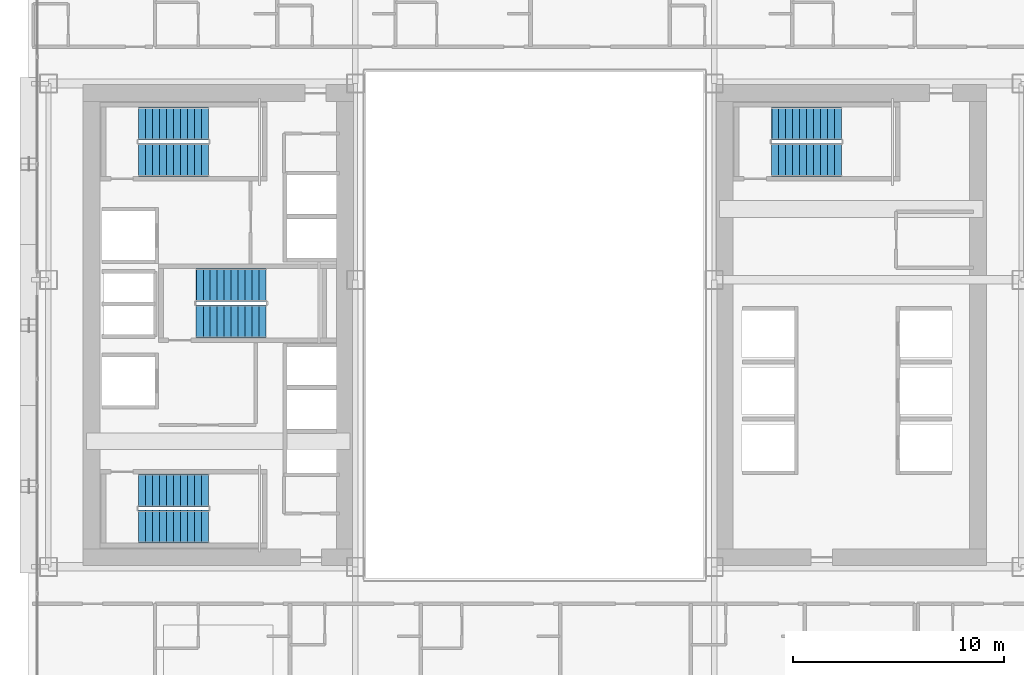
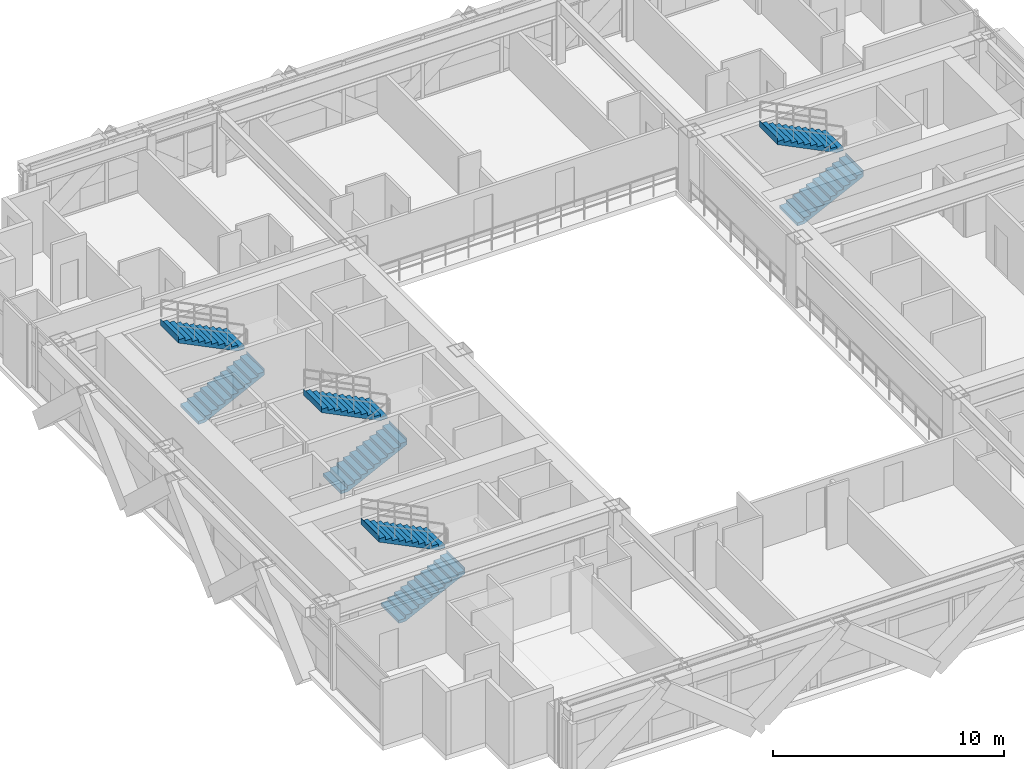
# One storey, part 31 of 35: 8 stair flights, 4 elements without a shape of their own.
"""IFC4 building model written with IfcOpenShell, lengths in metres."""

from ifc_helpers import new_model, si_unit, direction, frame, origin, place, context, subcontext, project, spatial, polyline, outline, extrude, source, transform, mapped, material, type_object, element, aggregate, save


model = new_model("IFC4")

# Units and contexts
model_context = context("Model", 3, precision=1e-05, world=origin(), true_north=direction((0.0, 1.0)))
body_context = subcontext(model_context, "Body", "Model", "MODEL_VIEW")
ifc_project = project(units=[si_unit("LENGTHUNIT", "METRE"), si_unit("AREAUNIT", "SQUARE_METRE"), si_unit("VOLUMEUNIT", "CUBIC_METRE"), si_unit("PLANEANGLEUNIT", "RADIAN"), si_unit("MASSUNIT", "GRAM", prefix="KILO")], contexts=[model_context])

# Site, building, storey
site_placement = place(None, origin())
site = spatial("IfcSite", under=ifc_project, at=site_placement, CompositionType="ELEMENT")
building_placement = place(site_placement, origin())
building = spatial("IfcBuilding", under=site, at=building_placement, Name="Ocotamira Hotel", CompositionType="ELEMENT")
storey_placement = place(building_placement, frame((0.0, 0.0, 49.199951171875)))
storey = spatial("IfcBuildingStorey", under=building, at=storey_placement, Name="L11", CompositionType="ELEMENT", Elevation=49.199951171875)

# Stair, stair flights
ifc_material = material(Name="Concrete C40/50", Category="concrete")
stair_type = type_object("IfcStairType", Name="ST-CORE-1560", PredefinedType="HALF_TURN_STAIR", material=ifc_material)
stair_1_placement = place(storey_placement, origin())
stair_1 = element("IfcStair", 1, at=stair_1_placement, inside=storey, type_object=stair_type, Name="L11 Exit Stair ST-1", PredefinedType="HALF_TURN_STAIR")
stair_flight_type = type_object("IfcStairFlightType", Name="STF-CORE-1560", PredefinedType="STRAIGHT", material=ifc_material)
shared_shape = source(origin(), body_context, "Body", "SweptSolid", [
    extrude(outline(polyline([(-0.00390625, 0.0), (-0.00390625, 0.16357421875), (0.330078125, 0.16357421875), (0.330078125, 0.327392578125), (0.659912109375, 0.327392578125), (0.659912109375, 0.490966796875), (0.989990234375, 0.490966796875), (0.989990234375, 0.654541015625), (1.320068359375, 0.654541015625), (1.320068359375, 0.818115234375), (1.64990234375, 0.818115234375), (1.64990234375, 0.98193359375), (1.97998046875, 0.98193359375), (1.97998046875, 1.1455078125), (2.31005859375, 1.1455078125), (2.31005859375, 1.30908203125), (2.639892578125, 1.30908203125), (2.639892578125, 1.47265625), (2.969970703125, 1.47265625), (2.969970703125, 1.636474609375), (3.300048828125, 1.636474609375), (3.300048828125, 1.800048828125), (3.303955078125, 1.800048828125), (3.303955078125, 1.468994140625), (0.33740234375, 0.0), (-0.00390625, 0.0)])), frame((0.0, 0.780029296875, 0.0), z_axis=(0.0, -1.0, 0.0), x_axis=(1.0, 0.0, 0.0)), (0.0, 0.0, 1.0), 1.56005859375),
])
stair_flight_1_placement = place(storey_placement, frame((13.22998046875, 16.449951171875, 0.0), z_axis=(0.0, 0.0, 1.0), x_axis=(1.0, 0.0, 0.0)))
stair_flight_1 = element("IfcStairFlight", 2, at=stair_flight_1_placement, type_object=stair_flight_type, Name="ST-1 flight 1", NumberOfRisers=11, NumberOfTreads=10, PredefinedType="STRAIGHT", RiserHeight=0.163636364, TreadLength=0.33, context=body_context, shape_type="MappedRepresentation", body=[
    mapped(shared_shape, transform((0.0, 0.0, 0.0), scale=1.0)),
])
stair_flight_2_placement = place(storey_placement, frame((16.530029296875, 18.169921875, 1.800048828125), z_axis=(0.0, 0.0, 1.0), x_axis=(-1.0, 0.0, 0.0)))
stair_flight_2 = element("IfcStairFlight", 3, at=stair_flight_2_placement, type_object=stair_flight_type, Name="ST-1 flight 2", NumberOfRisers=11, NumberOfTreads=10, PredefinedType="STRAIGHT", RiserHeight=0.163636364, TreadLength=0.33, context=body_context, shape_type="MappedRepresentation", body=[
    mapped(shared_shape, transform((0.0, 0.0, 0.0), scale=1.0)),
])
aggregate(stair_1, [stair_flight_1, stair_flight_2])

stair_2_placement = place(storey_placement, origin())
stair_2 = element("IfcStair", 4, at=stair_2_placement, inside=storey, type_object=stair_type, Name="L11 Exit Stair ST-2", PredefinedType="HALF_TURN_STAIR")
stair_flight_3_placement = place(storey_placement, frame((13.22998046875, 33.830078125, 0.0), z_axis=(0.0, 0.0, 1.0), x_axis=(1.0, 0.0, 0.0)))
stair_flight_3 = element("IfcStairFlight", 5, at=stair_flight_3_placement, type_object=stair_flight_type, Name="ST-2 flight 1", NumberOfRisers=11, NumberOfTreads=10, PredefinedType="STRAIGHT", RiserHeight=0.163636364, TreadLength=0.33, context=body_context, shape_type="MappedRepresentation", body=[
    mapped(shared_shape, transform((0.0, 0.0, 0.0), scale=1.0)),
])
stair_flight_4_placement = place(storey_placement, frame((16.530029296875, 35.550048828125, 1.800048828125), z_axis=(0.0, 0.0, 1.0), x_axis=(-1.0, 0.0, 0.0)))
stair_flight_4 = element("IfcStairFlight", 6, at=stair_flight_4_placement, type_object=stair_flight_type, Name="ST-2 flight 2", NumberOfRisers=11, NumberOfTreads=10, PredefinedType="STRAIGHT", RiserHeight=0.163636364, TreadLength=0.33, context=body_context, shape_type="MappedRepresentation", body=[
    mapped(shared_shape, transform((0.0, 0.0, 0.0), scale=1.0)),
])
aggregate(stair_2, [stair_flight_3, stair_flight_4])

stair_3_placement = place(storey_placement, origin())
stair_3 = element("IfcStair", 7, at=stair_3_placement, inside=storey, type_object=stair_type, Name="L11 Exit Stair ST-3", PredefinedType="HALF_TURN_STAIR")
stair_flight_5_placement = place(storey_placement, frame((15.9599609375, 26.179931640625, 0.0), z_axis=(0.0, 0.0, 1.0), x_axis=(1.0, 0.0, 0.0)))
stair_flight_5 = element("IfcStairFlight", 8, at=stair_flight_5_placement, type_object=stair_flight_type, Name="ST-3 flight 1", NumberOfRisers=11, NumberOfTreads=10, PredefinedType="STRAIGHT", RiserHeight=0.163636364, TreadLength=0.33, context=body_context, shape_type="MappedRepresentation", body=[
    mapped(shared_shape, transform((0.0, 0.0, 0.0), scale=1.0)),
])
stair_flight_6_placement = place(storey_placement, frame((19.260009765625, 27.89990234375, 1.800048828125), z_axis=(0.0, 0.0, 1.0), x_axis=(-1.0, 0.0, 0.0)))
stair_flight_6 = element("IfcStairFlight", 9, at=stair_flight_6_placement, type_object=stair_flight_type, Name="ST-3 flight 2", NumberOfRisers=11, NumberOfTreads=10, PredefinedType="STRAIGHT", RiserHeight=0.163636364, TreadLength=0.33, context=body_context, shape_type="MappedRepresentation", body=[
    mapped(shared_shape, transform((0.0, 0.0, 0.0), scale=1.0)),
])
aggregate(stair_3, [stair_flight_5, stair_flight_6])

stair_4_placement = place(storey_placement, origin())
stair_4 = element("IfcStair", 10, at=stair_4_placement, inside=storey, type_object=stair_type, Name="L11 Exit Stair ST-4", PredefinedType="HALF_TURN_STAIR")
stair_flight_7_placement = place(storey_placement, frame((43.22998046875, 33.830078125, 0.0), z_axis=(0.0, 0.0, 1.0), x_axis=(1.0, 0.0, 0.0)))
stair_flight_7 = element("IfcStairFlight", 11, at=stair_flight_7_placement, type_object=stair_flight_type, Name="ST-4 flight 1", NumberOfRisers=11, NumberOfTreads=10, PredefinedType="STRAIGHT", RiserHeight=0.163636364, TreadLength=0.33, context=body_context, shape_type="MappedRepresentation", body=[
    mapped(shared_shape, transform((0.0, 0.0, 0.0), scale=1.0)),
])
stair_flight_8_placement = place(storey_placement, frame((46.530029296875, 35.550048828125, 1.800048828125), z_axis=(0.0, 0.0, 1.0), x_axis=(-1.0, 0.0, 0.0)))
stair_flight_8 = element("IfcStairFlight", 12, at=stair_flight_8_placement, type_object=stair_flight_type, Name="ST-4 flight 2", NumberOfRisers=11, NumberOfTreads=10, PredefinedType="STRAIGHT", RiserHeight=0.163636364, TreadLength=0.33, context=body_context, shape_type="MappedRepresentation", body=[
    mapped(shared_shape, transform((0.0, 0.0, 0.0), scale=1.0)),
])
aggregate(stair_4, [stair_flight_7, stair_flight_8])

save(model, "model.ifc")
